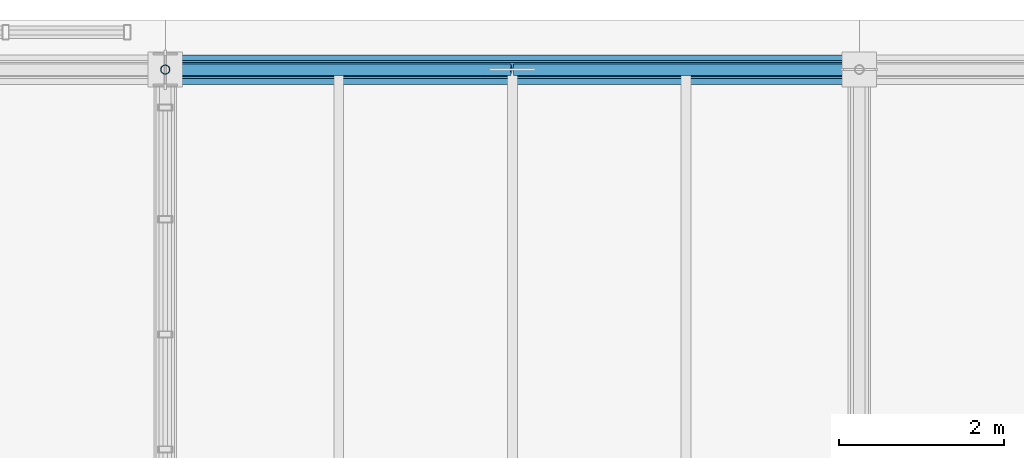
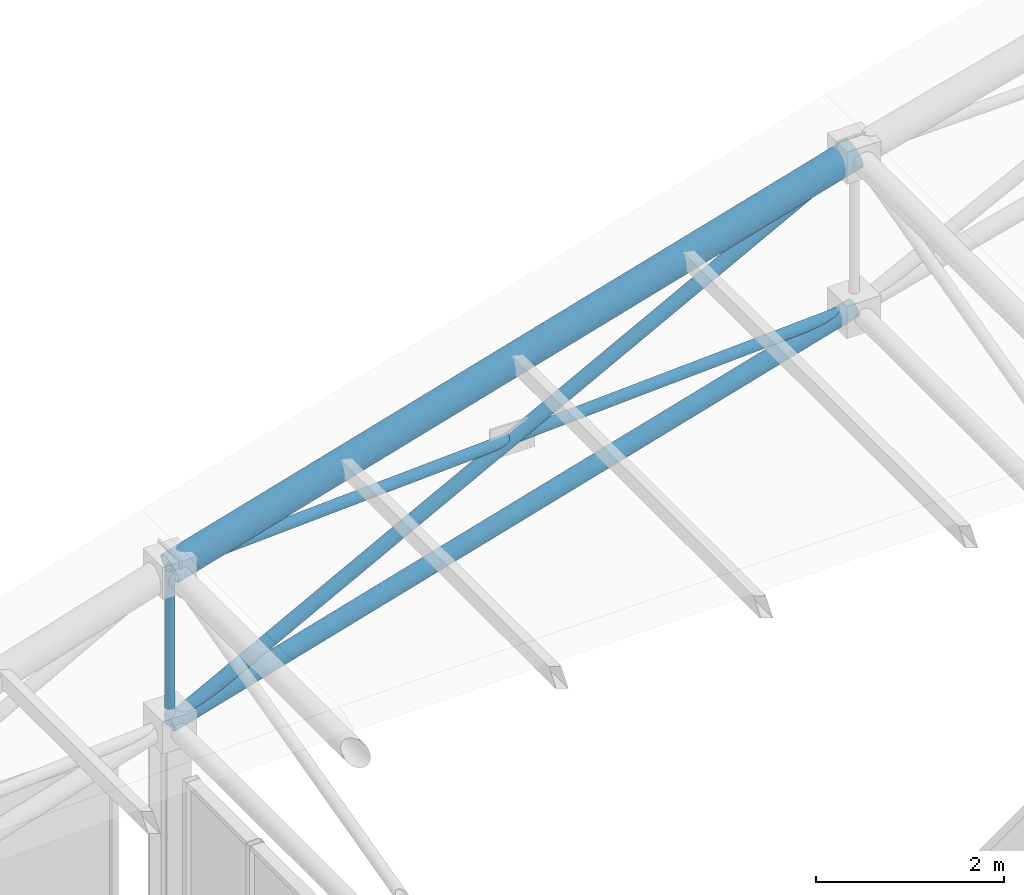
# One storey, part 70 of 144: 6 members.
"""IFC4 building model written with IfcOpenShell, lengths in metres."""

from ifc_helpers import new_model, si_unit, direction, frame, origin, origin_2d, place, context, subcontext, project, spatial, hollow_circle, extrude, material, material_profile, profile_set, type_object, element, save


model = new_model("IFC4")

# Units and contexts
model_context = context("Model", 3, precision=1e-05, world=origin(), true_north=direction((0.0, 1.0)))
body_context = subcontext(model_context, "Body", "Model", "MODEL_VIEW")
ifc_project = project(units=[si_unit("LENGTHUNIT", "METRE"), si_unit("AREAUNIT", "SQUARE_METRE"), si_unit("VOLUMEUNIT", "CUBIC_METRE"), si_unit("PLANEANGLEUNIT", "RADIAN"), si_unit("MASSUNIT", "GRAM", prefix="KILO")], contexts=[model_context])

# Site, building, storey
site_placement = place(None, origin())
site = spatial("IfcSite", under=ifc_project, at=site_placement, CompositionType="ELEMENT")
building_placement = place(site_placement, origin())
building = spatial("IfcBuilding", under=site, at=building_placement, Name="Zayran Congress Hotel", CompositionType="ELEMENT")
storey_placement = place(building_placement, frame((0.0, 0.0, 19.199951171875)))
storey = spatial("IfcBuildingStorey", under=building, at=storey_placement, Name="L04", CompositionType="ELEMENT", Elevation=19.199951171875)

# Members
ifc_material = material(Name="Steel S355", Category="steel")
ifc_material_profile_1 = material_profile(ifc_material, hollow_circle(Radius=0.177734375, WallThickness=0.01611328125, at=origin_2d()), Name="CHS 355.6x16")
ifc_profile_set_1 = profile_set([ifc_material_profile_1], Name="Steel S355")
member_type_1 = type_object("IfcMemberType", Name="TP-SF-TC1", PredefinedType="CHORD", material=ifc_profile_set_1)
member_1_placement = place(storey_placement, frame((33.60009765625, 117.39990234375, 9.902099609375), z_axis=(0.960000625005, 0.0, 0.279997857116), x_axis=(0.0, 1.0, 0.0)))
element("IfcMember", 1, at=member_1_placement, inside=storey, type_object=member_type_1, Name="Space Frame Top Chord X 214", PredefinedType="CHORD", context=body_context, shape_type="SweptSolid", body=[
    extrude(hollow_circle(Radius=0.177734375, WallThickness=0.01611328125, at=origin_2d()), origin(), (0.0, 0.0, 1.0), 8.75),
])
ifc_material_profile_2 = material_profile(ifc_material, hollow_circle(Radius=0.109619140625, WallThickness=0.010009765625, at=origin_2d()), Name="CHS 219.1x10")
ifc_profile_set_2 = profile_set([ifc_material_profile_2], Name="Steel S355")
member_type_2 = type_object("IfcMemberType", Name="TP-SF-BC1", PredefinedType="CHORD", material=ifc_profile_set_2)
member_2_placement = place(storey_placement, frame((33.60009765625, 117.39990234375, 7.900146484375), z_axis=(0.960000625005, 0.0, 0.279997857116), x_axis=(0.0, 1.0, 0.0)))
element("IfcMember", 2, at=member_2_placement, inside=storey, type_object=member_type_2, Name="Space Frame Bottom Chord X 215", PredefinedType="CHORD", context=body_context, shape_type="SweptSolid", body=[
    extrude(hollow_circle(Radius=0.109619140625, WallThickness=0.010009765625, at=origin_2d()), origin(), (0.0, 0.0, 1.0), 8.75),
])
ifc_material_profile_3 = material_profile(ifc_material, hollow_circle(Radius=0.084228515625, WallThickness=0.008056640625, at=origin_2d()), Name="CHS 168.3x8")
ifc_profile_set_3 = profile_set([ifc_material_profile_3], Name="Steel S355")
member_type_3 = type_object("IfcMemberType", Name="TP-SF-DG1", PredefinedType="BRACE", material=ifc_profile_set_3)
member_3_placement = place(storey_placement, frame((33.60009765625, 117.39990234375, 7.900146484375), z_axis=(0.883574812642, 0.0, 0.46829002815), x_axis=(0.0, 1.0, 0.0)))
element("IfcMember", 3, at=member_3_placement, inside=storey, type_object=member_type_3, Name="Space Frame Web Diagonal X 216", PredefinedType="BRACE", context=body_context, shape_type="SweptSolid", body=[
    extrude(hollow_circle(Radius=0.084228515625, WallThickness=0.008056640625, at=origin_2d()), origin(), (0.0, 0.0, 1.0), 9.5068359375),
])
ifc_material_profile_4 = material_profile(ifc_material, hollow_circle(Radius=0.06982421875, WallThickness=0.00634765625, at=origin_2d()), Name="CHS 139.7x6.3")
ifc_profile_set_4 = profile_set([ifc_material_profile_4], Name="Steel S355")
member_type_4 = type_object("IfcMemberType", Name="TP-SF-DG2", PredefinedType="BRACE", material=ifc_profile_set_4)
member_4_placement = place(storey_placement, frame((33.60009765625, 117.39990234375, 9.902099609375), z_axis=(0.998581382954, 0.0, 0.053246799138), x_axis=(0.0, 1.0, 0.0)))
element("IfcMember", 4, at=member_4_placement, inside=storey, type_object=member_type_4, Name="Space Frame Counter Diagonal X Upper 217", PredefinedType="BRACE", context=body_context, shape_type="SweptSolid", body=[
    extrude(hollow_circle(Radius=0.06982421875, WallThickness=0.00634765625, at=origin_2d()), origin(), (0.0, 0.0, 1.0), 4.190673828125),
])
member_5_placement = place(storey_placement, frame((37.81494140625, 117.39990234375, 10.126953125), z_axis=(0.99858154811, 0.0, 0.053243701725), x_axis=(0.0, 1.0, 0.0)))
element("IfcMember", 5, at=member_5_placement, inside=storey, type_object=member_type_4, Name="Space Frame Counter Diagonal X Lower 34", PredefinedType="BRACE", context=body_context, shape_type="SweptSolid", body=[
    extrude(hollow_circle(Radius=0.06982421875, WallThickness=0.00634765625, at=origin_2d()), origin(), (0.0, 0.0, 1.0), 4.19091796875),
])
ifc_material_profile_5 = material_profile(ifc_material, hollow_circle(Radius=0.05712890625, WallThickness=0.00634765625, at=origin_2d()), Name="CHS 114.3x6.3")
ifc_profile_set_5 = profile_set([ifc_material_profile_5], Name="Steel S355")
member_type_5 = type_object("IfcMemberType", Name="TP-SF-DG3", PredefinedType="BRACE", material=ifc_profile_set_5)
member_6_placement = place(storey_placement, frame((33.60009765625, 117.39990234375, 7.900146484375), z_axis=(0.0, 0.0, 1.0), x_axis=(0.0, 1.0, 0.0)))
element("IfcMember", 6, at=member_6_placement, inside=storey, type_object=member_type_5, Name="Space Frame Web Strut 218", PredefinedType="BRACE", context=body_context, shape_type="SweptSolid", body=[
    extrude(hollow_circle(Radius=0.05712890625, WallThickness=0.00634765625, at=origin_2d()), origin(), (0.0, 0.0, 1.0), 2.001953125),
])

save(model, "model.ifc")
